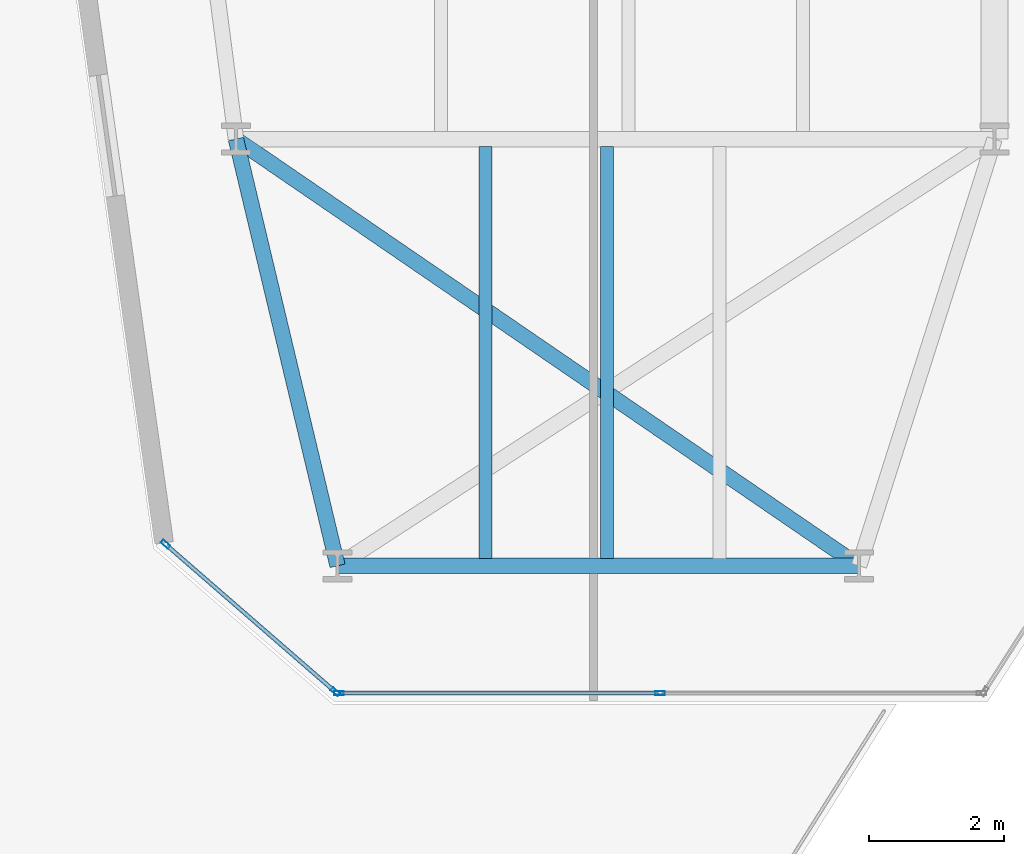
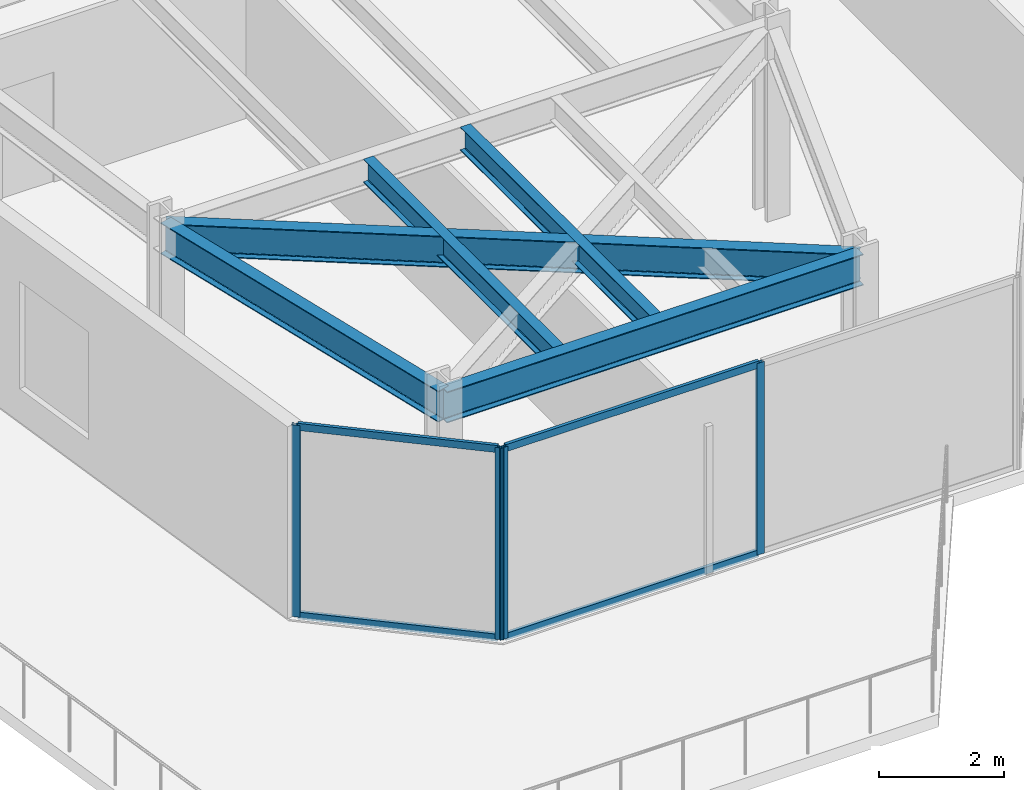
# One storey, part 2 of 24: 8 members, 5 beams, 2 elements without a shape of their own.
"""IFC4 building model written with IfcOpenShell, lengths in metres."""

import ifcopenshell
import ifcopenshell.guid

model = None  # the IFC model being written
_history = None  # IfcOwnerHistory: only IFC2X3 demands one
_inside = {}  # id of a spatial element -> (the spatial element, [elements in it])
_under = {}  # id of a project, library or spatial element -> (it, [spatial elements below it])
_declared = {}  # id of a project -> (the project, [libraries it declares])
_typed = {}  # id of a type object -> (the type object, [elements of that type])
_made_of = {}  # id of a material, layer set ... -> (it, [elements and type objects made of it])


def new_model(schema):
    """Start an empty IFC model of exactly this schema.

    Asked for "IFC4X3", IfcOpenShell would pick the latest addendum, in which some entities
    have other attributes; the version numbers below select the first issue.
    IFC2X3 requires an IfcOwnerHistory on every rooted entity: one is made here for all.
    """
    global model, _history
    if schema == "IFC4X3":
        model = ifcopenshell.file(schema_version=(4, 3, 0, 0))
    else:
        model = ifcopenshell.file(schema=schema)
    _inside.clear()
    _under.clear()
    _declared.clear()
    _typed.clear()
    _made_of.clear()
    _history = None
    if model.schema == "IFC2X3":
        org = make("IfcOrganization", Name="unknown")
        user = make(
            "IfcPersonAndOrganization",
            ThePerson=make("IfcPerson", FamilyName="unknown"),
            TheOrganization=org,
        )
        app = make(
            "IfcApplication",
            ApplicationDeveloper=org,
            Version="unknown",
            ApplicationFullName="unknown",
            ApplicationIdentifier="unknown",
        )
        _history = make(
            "IfcOwnerHistory",
            OwningUser=user,
            OwningApplication=app,
            ChangeAction="ADDED",
            CreationDate=0,
        )
    return model


def make(cls, **values):
    """One entity of the class cls with the attributes given. An attribute that is None is left unset."""
    return model.create_entity(
        cls, **{name: value for name, value in values.items() if value is not None}
    )


def rooted(cls, **values):
    """An entity with a GlobalId (a new one), such as an element, a storey or a relation."""
    return make(cls, GlobalId=ifcopenshell.guid.new(), OwnerHistory=_history, **values)


def si_unit(unit_type, name, prefix=None):
    """IfcSIUnit, for example si_unit("LENGTHUNIT", "METRE", prefix="MILLI")."""
    return make("IfcSIUnit", UnitType=unit_type, Prefix=prefix, Name=name)


def assignment(units):
    """IfcUnitAssignment: the units of a project."""
    return None if units is None else make("IfcUnitAssignment", Units=units)


def point(xyz):
    """IfcCartesianPoint."""
    return None if xyz is None else make("IfcCartesianPoint", Coordinates=xyz)


def direction(xyz):
    """IfcDirection."""
    return None if xyz is None else make("IfcDirection", DirectionRatios=xyz)


def frame(location, z_axis=None, x_axis=None):
    """IfcAxis2Placement3D, a coordinate frame: its origin and axes. An axis left out is left unset."""
    return make(
        "IfcAxis2Placement3D",
        Location=point(location),
        Axis=direction(z_axis),
        RefDirection=direction(x_axis),
    )


def frame_2d(location, x_axis=None):
    """IfcAxis2Placement2D, a coordinate frame in the plane: its origin and x axis."""
    return make(
        "IfcAxis2Placement2D", Location=point(location), RefDirection=direction(x_axis)
    )


def origin():
    """The frame at (0, 0, 0) with its axes left unset."""
    return frame((0.0, 0.0, 0.0))


def origin_2d():
    """The frame at (0, 0) in the plane with its x axis left unset."""
    return frame_2d((0.0, 0.0))


def place(relative_to, where):
    """IfcLocalPlacement: puts the frame where relative to a parent placement (None: the world)."""
    return make(
        "IfcLocalPlacement", PlacementRelTo=relative_to, RelativePlacement=where
    )


def context(
    kind, dimensions, precision=None, world=None, true_north=None, identifier=None
):
    """IfcGeometricRepresentationContext, for example the 3D "Model" context."""
    return make(
        "IfcGeometricRepresentationContext",
        ContextIdentifier=identifier,
        ContextType=kind,
        CoordinateSpaceDimension=dimensions,
        Precision=precision,
        WorldCoordinateSystem=world,
        TrueNorth=true_north,
    )


def subcontext(parent, identifier, kind, view, scale=None):
    """IfcGeometricRepresentationSubContext, for example "Body" below "Model"."""
    return make(
        "IfcGeometricRepresentationSubContext",
        ContextIdentifier=identifier,
        ContextType=kind,
        ParentContext=parent,
        TargetScale=scale,
        TargetView=view,
    )


def project(units=None, contexts=None):
    """IfcProject with its units and contexts."""
    return rooted(
        "IfcProject",
        Name="project",
        RepresentationContexts=contexts,
        UnitsInContext=assignment(units),
    )


def spatial(cls, under=None, at=None, **own):
    """A site, building, storey or space (cls), placed at a placement, below another one or the project."""
    s = rooted(cls, ObjectPlacement=at, **own)
    if under is not None:
        _under.setdefault(under.id(), (under, []))[1].append(s)
    return s


def profile(cls, at=None, kind="AREA", **sizes):
    """A parametric profile (cls). Its sizes go by their IFC names, for example OverallWidth=200.0."""
    return make(cls, ProfileType=kind, Position=at, **sizes)


def hollow_rectangle(**sizes):
    """IfcRectangleHollowProfileDef."""
    return profile("IfcRectangleHollowProfileDef", **sizes)


def i_section(**sizes):
    """IfcIShapeProfileDef."""
    return profile("IfcIShapeProfileDef", **sizes)


def extrude(swept, where, along, depth):
    """IfcExtrudedAreaSolid: the profile swept, set in the frame where, extruded along a direction by depth."""
    return make(
        "IfcExtrudedAreaSolid",
        SweptArea=swept,
        Position=where,
        ExtrudedDirection=direction(along),
        Depth=depth,
    )


def shape(context_of_items, identifier, shape_type, items):
    """IfcShapeRepresentation: the items that make up one representation, for example the "Body"."""
    return make(
        "IfcShapeRepresentation",
        ContextOfItems=context_of_items,
        RepresentationIdentifier=identifier,
        RepresentationType=shape_type,
        Items=items,
    )


def material(Name=None, Category=None):
    """IfcMaterial."""
    return make("IfcMaterial", Name=Name, Category=Category)


def layer(
    of_material, thickness, ventilated=None, Name=None, Category=None, Priority=None
):
    """IfcMaterialLayer: one layer of a wall or slab, of a material (None: an air gap)."""
    return make(
        "IfcMaterialLayer",
        Material=of_material,
        LayerThickness=thickness,
        IsVentilated=ventilated,
        Name=Name,
        Category=Category,
        Priority=Priority,
    )


def layer_set(layers, Name=None):
    """IfcMaterialLayerSet."""
    return make("IfcMaterialLayerSet", MaterialLayers=layers, LayerSetName=Name)


def material_profile(
    of_material, cross_section, Name=None, Category=None, Priority=None
):
    """IfcMaterialProfile: a cross section and its material."""
    return make(
        "IfcMaterialProfile",
        Name=Name,
        Material=of_material,
        Profile=cross_section,
        Priority=Priority,
        Category=Category,
    )


def profile_set(profiles, Name=None, composite=None):
    """IfcMaterialProfileSet."""
    return make(
        "IfcMaterialProfileSet",
        Name=Name,
        MaterialProfiles=profiles,
        CompositeProfile=composite,
    )


def made_of(thing, what):
    """Note that an element or type object is made of a material, layer set ...; save() writes the relation."""
    if what is not None:
        _made_of.setdefault(what.id(), (what, []))[1].append(thing)
    return thing


def type_object(cls, material=None, **own):
    """A type object (cls), such as IfcWallType, which elements share."""
    return made_of(rooted(cls, **own), material)


def element(
    cls,
    number,
    at=None,
    inside=None,
    cuts=None,
    type_object=None,
    material=None,
    context=None,
    identifier="Body",
    shape_type=None,
    held_by="IfcProductDefinitionShape",
    body=None,
    shapes=None,
    **own,
):
    """One element of the class cls, such as IfcWall. Its Tag is "e" and its number.

    at: its placement. inside: the storey or other place that contains it. cuts: it is an
    opening in that element (IfcRelVoidsElement). A single representation is given by context,
    identifier, shape_type and body (its items); several are given by shapes. held_by: the class
    of the entity that holds the representations. save() writes the other relations.
    """
    e = rooted(cls, Tag="e%d" % number, ObjectPlacement=at, **own)
    if body is not None:
        shapes = [shape(context, identifier, shape_type, body)]
    if shapes is not None:
        e.Representation = make(held_by, Representations=shapes)
    if inside is not None:
        _inside.setdefault(inside.id(), (inside, []))[1].append(e)
    if cuts is not None:
        rooted(
            "IfcRelVoidsElement", RelatingBuildingElement=cuts, RelatedOpeningElement=e
        )
    if type_object is not None:
        _typed.setdefault(type_object.id(), (type_object, []))[1].append(e)
    return made_of(e, material)


def aggregate(whole, parts):
    """IfcRelAggregates: a whole, such as a stair, and the parts it consists of."""
    return rooted("IfcRelAggregates", RelatingObject=whole, RelatedObjects=parts)


def save(model, path):
    """Write the relations noted so far, then the file.

    IfcRelAggregates (storeys below a building ...), IfcRelContainedInSpatialStructure (elements
    in a storey), IfcRelDefinesByType, IfcRelAssociatesMaterial and IfcRelDeclares: one each for
    every whole, place, type object, material and project.
    """
    for whole, parts in _under.values():
        aggregate(whole, parts)
    for where, things in _inside.values():
        rooted(
            "IfcRelContainedInSpatialStructure",
            RelatedElements=things,
            RelatingStructure=where,
        )
    for kind, things in _typed.values():
        rooted("IfcRelDefinesByType", RelatedObjects=things, RelatingType=kind)
    for what, things in _made_of.values():
        rooted("IfcRelAssociatesMaterial", RelatedObjects=things, RelatingMaterial=what)
    for by, libraries in _declared.values():
        rooted("IfcRelDeclares", RelatingContext=by, RelatedDefinitions=libraries)
    model.write(path)


model = new_model("IFC4")

# Units and contexts
model_context = context("Model", 3, precision=1e-05, world=origin(), true_north=direction((0.0, 1.0)))
body_context = subcontext(model_context, "Body", "Model", "MODEL_VIEW")
ifc_project = project(units=[si_unit("LENGTHUNIT", "METRE"), si_unit("AREAUNIT", "SQUARE_METRE"), si_unit("VOLUMEUNIT", "CUBIC_METRE"), si_unit("PLANEANGLEUNIT", "RADIAN"), si_unit("MASSUNIT", "GRAM", prefix="KILO")], contexts=[model_context])

# Site, building, storey
site_placement = place(None, origin())
site = spatial("IfcSite", under=ifc_project, at=site_placement, CompositionType="ELEMENT")
building_placement = place(site_placement, origin())
building = spatial("IfcBuilding", under=site, at=building_placement, Name="Kravanh Interchange Tower", CompositionType="ELEMENT")
storey_placement = place(building_placement, frame((0.0, 0.0, 96.0)))
storey = spatial("IfcBuildingStorey", under=building, at=storey_placement, Name="L22", CompositionType="ELEMENT", Elevation=96.0)

# Curtain wall, members
ifc_material_1 = material(Name="Anodised Bronze Aluminium", Category="aluminium")
ifc_layer = layer(ifc_material_1, 0.179931640625)
ifc_layer_set = layer_set([ifc_layer], Name="Unitised Curtain Wall System CW-Z2 Mid Office")
curtain_wall_type = type_object("IfcCurtainWallType", Name="Unitised Curtain Wall System CW-Z2 Mid Office", PredefinedType="NOTDEFINED", material=ifc_layer_set)
curtain_wall_1_placement = place(storey_placement, origin())
curtain_wall_1 = element("IfcCurtainWall", 1, at=curtain_wall_1_placement, inside=storey, type_object=curtain_wall_type, Name="L22 Unitised Curtain Wall CW-L22-06", PredefinedType="NOTDEFINED")
ifc_material_2 = material(Name="Anodised Bronze Aluminium", Category="aluminium")
ifc_material_profile_1 = material_profile(ifc_material_2, hollow_rectangle(XDim=0.06005859375, YDim=0.139892578125, WallThickness=0.00390625, at=origin_2d()), Name="ALU60X140X4")
ifc_profile_set_1 = profile_set([ifc_material_profile_1], Name="Anodised Bronze Aluminium")
member_type_1 = type_object("IfcMemberType", Name="Curtain Wall Mullion ALU60X140X4 Bronze", PredefinedType="MULLION", material=ifc_profile_set_1)
member_1_placement = place(storey_placement, frame((22.26220703125, 6.320068359375, 0.0), z_axis=(0.0, 0.0, 1.0), x_axis=(0.0, -1.0, 0.0)))
member_1 = element("IfcMember", 2, at=member_1_placement, type_object=member_type_1, Name="CW-Z2 mullion 2", PredefinedType="MULLION", context=body_context, shape_type="SweptSolid", body=[
    extrude(hollow_rectangle(XDim=0.06005859375, YDim=0.139892578125, WallThickness=0.00390625, at=origin_2d()), origin(), (0.0, 0.0, 1.0), 3.75),
])
member_2_placement = place(storey_placement, frame((17.519775390625, 6.320068359375, 0.0), z_axis=(0.0, 0.0, 1.0), x_axis=(0.0, -1.0, 0.0)))
member_2 = element("IfcMember", 3, at=member_2_placement, type_object=member_type_1, Name="CW-Z2 mullion 3", PredefinedType="MULLION", context=body_context, shape_type="SweptSolid", body=[
    extrude(hollow_rectangle(XDim=0.06005859375, YDim=0.139892578125, WallThickness=0.00390625, at=origin_2d()), origin(), (0.0, 0.0, 1.0), 3.75),
])

curtain_wall_2_placement = place(storey_placement, origin())
curtain_wall_2 = element("IfcCurtainWall", 4, at=curtain_wall_2_placement, inside=storey, type_object=curtain_wall_type, Name="L22 Unitised Curtain Wall CW-L22-07", PredefinedType="NOTDEFINED")
member_3_placement = place(storey_placement, frame((17.467041015625, 6.339599609375, 0.0), z_axis=(0.0, 0.0, 1.0), x_axis=(-0.656047665617, -0.754719458103, 0.0)))
member_3 = element("IfcMember", 5, at=member_3_placement, type_object=member_type_1, Name="CW-Z2 mullion 1", PredefinedType="MULLION", context=body_context, shape_type="SweptSolid", body=[
    extrude(hollow_rectangle(XDim=0.06005859375, YDim=0.139892578125, WallThickness=0.00390625, at=origin_2d()), origin(), (0.0, 0.0, 1.0), 3.75),
])
member_4_placement = place(storey_placement, frame((14.9599609375, 8.51904296875, 0.0), z_axis=(0.0, 0.0, 1.0), x_axis=(-0.656047665617, -0.754719458103, 0.0)))
member_4 = element("IfcMember", 6, at=member_4_placement, type_object=member_type_1, Name="CW-Z2 mullion 2", PredefinedType="MULLION", context=body_context, shape_type="SweptSolid", body=[
    extrude(hollow_rectangle(XDim=0.06005859375, YDim=0.139892578125, WallThickness=0.00390625, at=origin_2d()), origin(), (0.0, 0.0, 1.0), 3.75),
])

# Member
ifc_material_3 = material(Name="Anodised Bronze Aluminium", Category="aluminium")
ifc_material_profile_2 = material_profile(ifc_material_3, hollow_rectangle(XDim=0.06005859375, YDim=0.139892578125, WallThickness=0.00390625, at=origin_2d()), Name="ALU60X140X4")
ifc_profile_set_2 = profile_set([ifc_material_profile_2], Name="Anodised Bronze Aluminium")
member_type_2 = type_object("IfcMemberType", Name="Curtain Wall Transom ALU60X140X4 Bronze", PredefinedType="USERDEFINED", material=ifc_profile_set_2)
member_5_placement = place(storey_placement, frame((22.232177734375, 6.320068359375, 0.030029296875), z_axis=(-1.0, 0.0, 0.0), x_axis=(0.0, -1.0, 0.0)))
member_5 = element("IfcMember", 7, at=member_5_placement, type_object=member_type_2, Name="CW-Z2 transom 2.1", ObjectType="TRANSOM", PredefinedType="USERDEFINED", context=body_context, shape_type="SweptSolid", body=[
    extrude(hollow_rectangle(XDim=0.06005859375, YDim=0.139892578125, WallThickness=0.00390625, at=origin_2d()), origin(), (0.0, 0.0, 1.0), 4.682373046875),
])

member_6_placement = place(storey_placement, frame((22.232177734375, 6.320068359375, 3.719970703125), z_axis=(-1.0, 0.0, 0.0), x_axis=(0.0, -1.0, 0.0)))
member_6 = element("IfcMember", 8, at=member_6_placement, type_object=member_type_2, Name="CW-Z2 transom 2.2", ObjectType="TRANSOM", PredefinedType="USERDEFINED", context=body_context, shape_type="SweptSolid", body=[
    extrude(hollow_rectangle(XDim=0.06005859375, YDim=0.139892578125, WallThickness=0.00390625, at=origin_2d()), origin(), (0.0, 0.0, 1.0), 4.682373046875),
])

aggregate(curtain_wall_1, [member_1, member_2, member_5, member_6])

member_7_placement = place(storey_placement, frame((17.444580078125, 6.359375, 0.030029296875), z_axis=(-0.754742467432, 0.656021194669, 0.0), x_axis=(-0.656021194669, -0.754742467432, 0.0)))
member_7 = element("IfcMember", 9, at=member_7_placement, type_object=member_type_2, Name="CW-Z2 transom 1.1", ObjectType="TRANSOM", PredefinedType="USERDEFINED", context=body_context, shape_type="SweptSolid", body=[
    extrude(hollow_rectangle(XDim=0.06005859375, YDim=0.139892578125, WallThickness=0.00390625, at=origin_2d()), origin(), (0.0, 0.0, 1.0), 3.261962890625),
])

member_8_placement = place(storey_placement, frame((17.444580078125, 6.359375, 3.719970703125), z_axis=(-0.754742467432, 0.656021194669, 0.0), x_axis=(-0.656021194669, -0.754742467432, 0.0)))
member_8 = element("IfcMember", 10, at=member_8_placement, type_object=member_type_2, Name="CW-Z2 transom 1.2", ObjectType="TRANSOM", PredefinedType="USERDEFINED", context=body_context, shape_type="SweptSolid", body=[
    extrude(hollow_rectangle(XDim=0.06005859375, YDim=0.139892578125, WallThickness=0.00390625, at=origin_2d()), origin(), (0.0, 0.0, 1.0), 3.261962890625),
])

aggregate(curtain_wall_2, [member_3, member_4, member_7, member_8])

# Beams
ifc_material_4 = material(Name="Structural Steel S355", Category="steel")
ifc_material_profile_3 = material_profile(ifc_material_4, i_section(OverallWidth=0.18994140625, OverallDepth=0.45703125, WebThickness=0.009033203125, FlangeThickness=0.014404296875, FilletRadius=0.01806640625, at=origin_2d()), Name="W18X50")
ifc_profile_set_3 = profile_set([ifc_material_profile_3], Name="Structural Steel S355")
beam_type_1 = type_object("IfcBeamType", Name="Floor Joist W18X50 Structural Steel S355", PredefinedType="JOIST", material=ifc_profile_set_3)
for number, where, z_axis, x_axis, name in (
    (11, (19.68603515625, 8.30908203125, 3.521484375), (0.0, 1.0, 0.0), (-1.0, 0.0, 0.0), "L22 Secondary Floor Joist 1"),
    (12, (21.47802734375, 8.30908203125, 3.521484375), (0.0, 1.0, 0.0), (-1.0, 0.0, 0.0), "L22 Secondary Floor Joist 2"),
):
    element("IfcBeam", number, at=place(storey_placement, frame(where, z_axis=z_axis, x_axis=x_axis)), inside=storey, type_object=beam_type_1, Name=name, PredefinedType="JOIST", context=body_context, shape_type="SweptSolid", body=[
        extrude(i_section(OverallWidth=0.18994140625, OverallDepth=0.45703125, WebThickness=0.009033203125, FlangeThickness=0.014404296875, FilletRadius=0.01806640625, at=origin_2d()), origin(), (0.0, 0.0, 1.0), 6.08203125),
    ])
ifc_material_5 = material(Name="Structural Steel S355", Category="steel")
ifc_material_profile_4 = material_profile(ifc_material_5, i_section(OverallWidth=0.22802734375, OverallDepth=0.60791015625, WebThickness=0.01123046875, FlangeThickness=0.017333984375, FilletRadius=0.02197265625, at=origin_2d()), Name="W24X76")
ifc_profile_set_4 = profile_set([ifc_material_profile_4], Name="Structural Steel S355")
beam_type_2 = type_object("IfcBeamType", Name="Floor Spandrel W24X76 Structural Steel S355", PredefinedType="SPANDREL", material=ifc_profile_set_4)
beam_1_placement = place(storey_placement, frame((17.5, 8.199951171875, 3.446044921875), z_axis=(-0.231618828452, 0.972806619173, 0.0), x_axis=(-0.972806619173, -0.231618828452, 0.0)))
element("IfcBeam", 13, at=beam_1_placement, inside=storey, type_object=beam_type_2, Name="L22 Perimeter Spandrel 34", PredefinedType="SPANDREL", context=body_context, shape_type="SweptSolid", body=[
    extrude(i_section(OverallWidth=0.22802734375, OverallDepth=0.60791015625, WebThickness=0.01123046875, FlangeThickness=0.017333984375, FilletRadius=0.02197265625, at=origin_2d()), origin(), (0.0, 0.0, 1.0), 6.47607421875),
])
beam_2_placement = place(storey_placement, frame((17.5, 8.199951171875, 3.446044921875), z_axis=(1.0, 0.0, 0.0), x_axis=(0.0, 1.0, 0.0)))
element("IfcBeam", 14, at=beam_2_placement, inside=storey, type_object=beam_type_2, Name="L22 Perimeter Spandrel 35", PredefinedType="SPANDREL", context=body_context, shape_type="SweptSolid", body=[
    extrude(i_section(OverallWidth=0.22802734375, OverallDepth=0.60791015625, WebThickness=0.01123046875, FlangeThickness=0.017333984375, FilletRadius=0.02197265625, at=origin_2d()), origin(), (0.0, 0.0, 1.0), 7.699951171875),
])
beam_3_placement = place(storey_placement, frame((25.199951171875, 8.199951171875, 3.446044921875), z_axis=(-0.825083781107, 0.565010401811, 0.0), x_axis=(-0.565010401811, -0.825083781107, 0.0)))
element("IfcBeam", 15, at=beam_3_placement, inside=storey, type_object=beam_type_2, Name="L22 Perimeter Spandrel 77", PredefinedType="SPANDREL", context=body_context, shape_type="SweptSolid", body=[
    extrude(i_section(OverallWidth=0.22802734375, OverallDepth=0.60791015625, WebThickness=0.01123046875, FlangeThickness=0.017333984375, FilletRadius=0.02197265625, at=origin_2d()), origin(), (0.0, 0.0, 1.0), 11.150390625),
])

save(model, "model.ifc")
